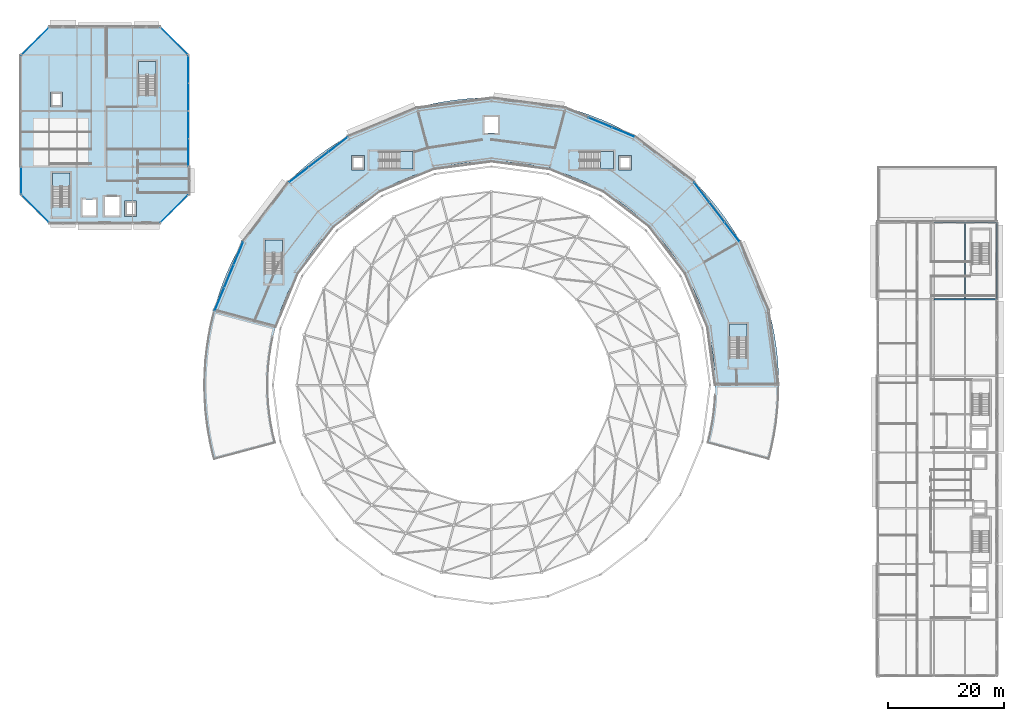
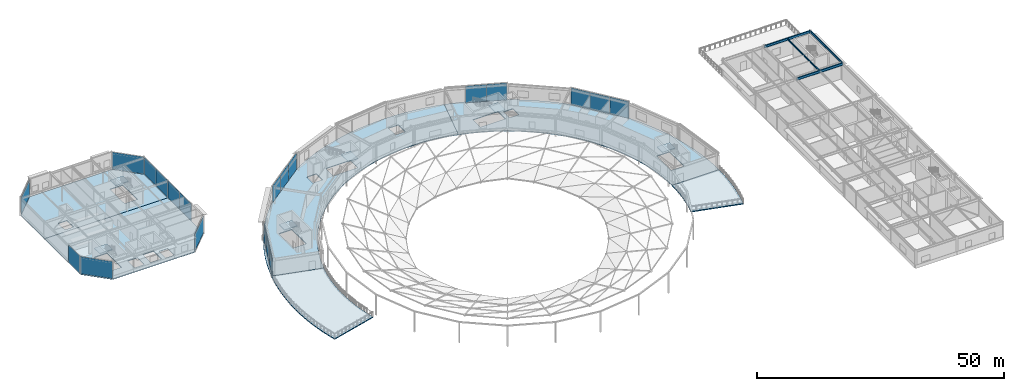
# One storey, part 55 of 89: 20 plates, 12 slabs, 4 beams, 17 elements without a shape of their own.
"""IFC4 building model written with IfcOpenShell, lengths in metres."""

from ifc_helpers import new_model, si_unit, direction, frame, origin, origin_2d, place, context, subcontext, project, spatial, polyline, rectangle, i_section, outline, extrude, material, layer, layer_set, material_profile, profile_set, type_object, element, aggregate, save


model = new_model("IFC4")

# Units and contexts
model_context = context("Model", 3, precision=1e-05, world=origin(), true_north=direction((0.0, 1.0)))
body_context = subcontext(model_context, "Body", "Model", "MODEL_VIEW")
ifc_project = project(units=[si_unit("LENGTHUNIT", "METRE"), si_unit("AREAUNIT", "SQUARE_METRE"), si_unit("VOLUMEUNIT", "CUBIC_METRE"), si_unit("PLANEANGLEUNIT", "RADIAN"), si_unit("MASSUNIT", "GRAM", prefix="KILO")], contexts=[model_context])

# Site, building, storey
site_placement = place(None, origin())
site = spatial("IfcSite", under=ifc_project, at=site_placement, CompositionType="ELEMENT")
building_placement = place(site_placement, origin())
building = spatial("IfcBuilding", under=site, at=building_placement, Name="Almandine Court Research Institute", CompositionType="ELEMENT")
storey_placement = place(building_placement, frame((0.0, 0.0, 18.89990234375)))
storey = spatial("IfcBuildingStorey", under=building, at=storey_placement, Name="L04", CompositionType="ELEMENT", Elevation=18.89990234375)

# Beams
ifc_material_1 = material(Name="Steel ASTM A992 Grade 50", Category="steel")
ifc_material_profile_1 = material_profile(ifc_material_1, i_section(OverallWidth=0.178955078125, OverallDepth=0.409912109375, WebThickness=0.009033203125, FlangeThickness=0.013916015625, at=origin_2d()), Name="W410x67")
ifc_profile_set_1 = profile_set([ifc_material_profile_1], Name="Steel ASTM A992 Grade 50")
beam_type_1 = type_object("IfcBeamType", Name="Beam-B-02", PredefinedType="JOIST", material=ifc_profile_set_1)
beam_1_placement = place(storey_placement, frame((168.60009765625, 70.9130859375, 4.1650390625), z_axis=(0.0, 1.0, 0.0), x_axis=(-1.0, 0.0, 0.0)))
element("IfcBeam", 1, at=beam_1_placement, inside=storey, type_object=beam_type_1, Name="L04 V4 Composite Secondary Beam", PredefinedType="JOIST", context=body_context, shape_type="SweptSolid", body=[
    extrude(i_section(OverallWidth=0.178955078125, OverallDepth=0.409912109375, WebThickness=0.009033203125, FlangeThickness=0.013916015625, at=origin_2d()), origin(), (0.0, 0.0, 1.0), 12.973876953125),
])
ifc_material_profile_2 = material_profile(ifc_material_1, i_section(OverallWidth=0.22998046875, OverallDepth=0.616943359375, WebThickness=0.012939453125, FlangeThickness=0.02197265625, at=origin_2d()), Name="W610x140")
ifc_profile_set_2 = profile_set([ifc_material_profile_2], Name="Steel ASTM A992 Grade 50")
beam_type_2 = type_object("IfcBeamType", Name="Beam-G-02", PredefinedType="BEAM", material=ifc_profile_set_2)
for number, where, z_axis, x_axis, name in (
    (2, (163.199951171875, 70.800048828125, 4.06201171875), (1.0, 0.0, 0.0), (0.0, 1.0, 0.0), "L04 V4 Primary X Girder"),
    (3, (163.199951171875, 84.0, 4.06201171875), (1.0, 0.0, 0.0), (0.0, 1.0, 0.0), "L04 V4 Primary X Girder"),
):
    element("IfcBeam", number, at=place(storey_placement, frame(where, z_axis=z_axis, x_axis=x_axis)), inside=storey, type_object=beam_type_2, Name=name, PredefinedType="BEAM", context=body_context, shape_type="SweptSolid", body=[
        extrude(i_section(OverallWidth=0.22998046875, OverallDepth=0.616943359375, WebThickness=0.012939453125, FlangeThickness=0.02197265625, at=origin_2d()), origin(), (0.0, 0.0, 1.0), 10.800048828125),
    ])
ifc_material_profile_3 = material_profile(ifc_material_1, i_section(OverallWidth=0.166015625, OverallDepth=0.534912109375, WebThickness=0.010009765625, FlangeThickness=0.01708984375, at=origin_2d()), Name="W530x85")
ifc_profile_set_3 = profile_set([ifc_material_profile_3], Name="Steel ASTM A992 Grade 50")
beam_type_3 = type_object("IfcBeamType", Name="Beam-G-05-E", PredefinedType="SPANDREL", material=ifc_profile_set_3)
beam_2_placement = place(storey_placement, frame((174.0, 70.800048828125, 4.10302734375), z_axis=(0.0, 1.0, 0.0), x_axis=(-1.0, 0.0, 0.0)))
element("IfcBeam", 4, at=beam_2_placement, inside=storey, type_object=beam_type_3, Name="L04 V4 Primary Y Girder", PredefinedType="SPANDREL", context=body_context, shape_type="SweptSolid", body=[
    extrude(i_section(OverallWidth=0.166015625, OverallDepth=0.534912109375, WebThickness=0.010009765625, FlangeThickness=0.01708984375, at=origin_2d()), origin(), (0.0, 0.0, 1.0), 13.199951171875),
])

# Curtain wall, plate
ifc_material_2 = material(Name="Unitised Curtain Wall Framing and Solar Glazing", Category="glass")
curtain_wall_type_1 = type_object("IfcCurtainWallType", Name="CW-CWG-08", PredefinedType="USERDEFINED", material=ifc_material_2)
curtain_wall_1_placement = place(storey_placement, origin())
curtain_wall_1 = element("IfcCurtainWall", 5, at=curtain_wall_1_placement, inside=storey, type_object=curtain_wall_type_1, Name="L04 Cleanroom NW Chamfer Glazing", ObjectType="UNITISED GLAZING", PredefinedType="USERDEFINED")
ifc_material_3 = material(Name="Double-Glazed Low-E Argon Insulated Glass", Category="glass")
ifc_layer_1 = layer(ifc_material_3, 0.028076171875)
ifc_layer_set_1 = layer_set([ifc_layer_1], Name="Double-Glazed Low-E Argon Insulated Glass")
plate_type_1 = type_object("IfcPlateType", Name="CWPnl-GLZ-28", PredefinedType="CURTAIN_PANEL", material=ifc_layer_set_1)
plate_1_placement = place(storey_placement, frame((8.39990234375, 115.199951171875, 0.06005859375), z_axis=(0.0, 0.0, 1.0), x_axis=(0.707106781187, 0.707106781187, 0.0)))
plate_1 = element("IfcPlate", 6, at=plate_1_placement, type_object=plate_type_1, Name="CWG-08 panel 1.1", PredefinedType="CURTAIN_PANEL", context=body_context, shape_type="SweptSolid", body=[
    extrude(rectangle(XDim=6.656982421875, YDim=0.028076171875, at=origin_2d()), origin(), (0.0, 0.0, 1.0), 4.25),
])
aggregate(curtain_wall_1, [plate_1])

curtain_wall_2_placement = place(storey_placement, origin())
curtain_wall_2 = element("IfcCurtainWall", 7, at=curtain_wall_2_placement, inside=storey, type_object=curtain_wall_type_1, Name="L04 Cleanroom NE Chamfer Glazing", ObjectType="UNITISED GLAZING", PredefinedType="USERDEFINED")
plate_2_placement = place(storey_placement, frame((32.39990234375, 115.199951171875, 0.06005859375), z_axis=(0.0, 0.0, 1.0), x_axis=(0.707106781187, -0.707106781187, 0.0)))
plate_2 = element("IfcPlate", 8, at=plate_2_placement, type_object=plate_type_1, Name="CWG-08 panel 1.1", PredefinedType="CURTAIN_PANEL", context=body_context, shape_type="SweptSolid", body=[
    extrude(rectangle(XDim=6.656982421875, YDim=0.028076171875, at=origin_2d()), origin(), (0.0, 0.0, 1.0), 4.25),
])
aggregate(curtain_wall_2, [plate_2])

curtain_wall_3_placement = place(storey_placement, origin())
curtain_wall_3 = element("IfcCurtainWall", 9, at=curtain_wall_3_placement, inside=storey, type_object=curtain_wall_type_1, Name="L04 Cleanroom SE Chamfer Glazing", ObjectType="UNITISED GLAZING", PredefinedType="USERDEFINED")
plate_3_placement = place(storey_placement, frame((32.39990234375, 86.39990234375, 0.06005859375), z_axis=(0.0, 0.0, 1.0), x_axis=(-0.707106781187, -0.707106781187, 0.0)))
plate_3 = element("IfcPlate", 10, at=plate_3_placement, type_object=plate_type_1, Name="CWG-08 panel 1.1", PredefinedType="CURTAIN_PANEL", context=body_context, shape_type="SweptSolid", body=[
    extrude(rectangle(XDim=6.656982421875, YDim=0.028076171875, at=origin_2d()), origin(), (0.0, 0.0, 1.0), 4.25),
])
aggregate(curtain_wall_3, [plate_3])

curtain_wall_4_placement = place(storey_placement, origin())
curtain_wall_4 = element("IfcCurtainWall", 11, at=curtain_wall_4_placement, inside=storey, type_object=curtain_wall_type_1, Name="L04 Cleanroom SW Chamfer Glazing", ObjectType="UNITISED GLAZING", PredefinedType="USERDEFINED")
plate_4_placement = place(storey_placement, frame((8.39990234375, 86.39990234375, 0.06005859375), z_axis=(0.0, 0.0, 1.0), x_axis=(-0.707106781187, 0.707106781187, 0.0)))
plate_4 = element("IfcPlate", 12, at=plate_4_placement, type_object=plate_type_1, Name="CWG-08 panel 1.1", PredefinedType="CURTAIN_PANEL", context=body_context, shape_type="SweptSolid", body=[
    extrude(rectangle(XDim=6.656982421875, YDim=0.028076171875, at=origin_2d()), origin(), (0.0, 0.0, 1.0), 4.25),
])
aggregate(curtain_wall_4, [plate_4])

# Curtain wall, plates
curtain_wall_type_2 = type_object("IfcCurtainWallType", Name="CW-CWG-22", PredefinedType="USERDEFINED", material=ifc_material_2)
curtain_wall_5_placement = place(storey_placement, origin())
curtain_wall_5 = element("IfcCurtainWall", 13, at=curtain_wall_5_placement, inside=storey, type_object=curtain_wall_type_2, Name="L04 Stacked-Ring Drum Outer Unitised Glazing 04", ObjectType="UNITISED GLAZING", PredefinedType="USERDEFINED")
plate_5_placement = place(storey_placement, frame((105.72802734375, 101.212890625, 0.06005859375), z_axis=(0.0, 0.0, 1.0), x_axis=(0.923888124321, -0.382662689242, 0.0)))
plate_5 = element("IfcPlate", 14, at=plate_5_placement, type_object=plate_type_1, Name="CWG-22 panel 2.1", PredefinedType="CURTAIN_PANEL", context=body_context, shape_type="SweptSolid", body=[
    extrude(rectangle(XDim=4.232666015625, YDim=0.028076171875, at=origin_2d()), origin(), (0.0, 0.0, 1.0), 4.18994140625),
])
plate_6_placement = place(storey_placement, frame((109.68017578125, 99.576171875, 0.06005859375), z_axis=(0.0, 0.0, 1.0), x_axis=(0.923888124321, -0.382662689242, 0.0)))
plate_6 = element("IfcPlate", 15, at=plate_6_placement, type_object=plate_type_1, Name="CWG-22 panel 3.1", PredefinedType="CURTAIN_PANEL", context=body_context, shape_type="SweptSolid", body=[
    extrude(rectangle(XDim=4.20263671875, YDim=0.028076171875, at=origin_2d()), origin(), (0.0, 0.0, 1.0), 4.18994140625),
])
aggregate(curtain_wall_5, [plate_5, plate_6])

# Curtain wall, plate
curtain_wall_type_3 = type_object("IfcCurtainWallType", Name="CW-CWJ-07", PredefinedType="USERDEFINED", material=ifc_material_2)
curtain_wall_6_placement = place(storey_placement, origin())
curtain_wall_6 = element("IfcCurtainWall", 16, at=curtain_wall_6_placement, inside=storey, type_object=curtain_wall_type_3, Name="L04 Cleanroom West Jali Curtain Wall", ObjectType="SOLAR JALI SCREEN", PredefinedType="USERDEFINED")
ifc_material_4 = material(Name="Perforated Ochre Terracotta Jali Solar Cassette", Category="masonry")
ifc_layer_2 = layer(ifc_material_4, 0.035888671875)
ifc_layer_set_2 = layer_set([ifc_layer_2], Name="Perforated Ochre Terracotta Jali Solar Cassette")
plate_type_2 = type_object("IfcPlateType", Name="CWPnl-JALI-36", PredefinedType="CURTAIN_PANEL", material=ifc_layer_set_2)
plate_7_placement = place(storey_placement, frame((6.0, 91.199951171875, 0.06494140625), z_axis=(0.0, 0.0, 1.0), x_axis=(0.0, 1.0, 0.0)))
plate_7 = element("IfcPlate", 17, at=plate_7_placement, type_object=plate_type_2, Name="CWJ-07 panel 1.1", PredefinedType="CURTAIN_PANEL", context=body_context, shape_type="SweptSolid", body=[
    extrude(rectangle(XDim=4.662109375, YDim=0.035888671875, at=origin_2d()), origin(), (0.0, 0.0, 1.0), 4.239990234375),
])
aggregate(curtain_wall_6, [plate_7])

# Curtain wall, plates
curtain_wall_type_4 = type_object("IfcCurtainWallType", Name="CW-CWJ-09", PredefinedType="USERDEFINED", material=ifc_material_2)
curtain_wall_7_placement = place(storey_placement, origin())
curtain_wall_7 = element("IfcCurtainWall", 18, at=curtain_wall_7_placement, inside=storey, type_object=curtain_wall_type_4, Name="L04 Cleanroom East Courtyard Jali Screen 2", ObjectType="SOLAR JALI SCREEN", PredefinedType="USERDEFINED")
plate_8_placement = place(storey_placement, frame((34.800048828125, 100.78173828125, 0.06494140625), z_axis=(0.0, 0.0, 1.0), x_axis=(0.0, -1.0, 0.0)))
plate_8 = element("IfcPlate", 19, at=plate_8_placement, type_object=plate_type_2, Name="CWJ-09 panel 1.1", PredefinedType="CURTAIN_PANEL", context=body_context, shape_type="SweptSolid", body=[
    extrude(rectangle(XDim=4.698486328125, YDim=0.035888671875, at=origin_2d()), origin(), (0.0, 0.0, 1.0), 4.239990234375),
])
plate_9_placement = place(storey_placement, frame((34.800048828125, 96.018310546875, 0.06494140625), z_axis=(0.0, 0.0, 1.0), x_axis=(0.0, -1.0, 0.0)))
plate_9 = element("IfcPlate", 20, at=plate_9_placement, type_object=plate_type_2, Name="CWJ-09 panel 2.1", PredefinedType="CURTAIN_PANEL", context=body_context, shape_type="SweptSolid", body=[
    extrude(rectangle(XDim=4.698486328125, YDim=0.035888671875, at=origin_2d()), origin(), (0.0, 0.0, 1.0), 4.239990234375),
])
aggregate(curtain_wall_7, [plate_8, plate_9])

curtain_wall_8_placement = place(storey_placement, origin())
curtain_wall_8 = element("IfcCurtainWall", 21, at=curtain_wall_8_placement, inside=storey, type_object=curtain_wall_type_4, Name="L04 Cleanroom East Courtyard Jali Screen 3", ObjectType="SOLAR JALI SCREEN", PredefinedType="USERDEFINED")
plate_10_placement = place(storey_placement, frame((34.800048828125, 110.3818359375, 0.06494140625), z_axis=(0.0, 0.0, 1.0), x_axis=(0.0, -1.0, 0.0)))
plate_10 = element("IfcPlate", 22, at=plate_10_placement, type_object=plate_type_2, Name="CWJ-09 panel 1.1", PredefinedType="CURTAIN_PANEL", context=body_context, shape_type="SweptSolid", body=[
    extrude(rectangle(XDim=4.698486328125, YDim=0.035888671875, at=origin_2d()), origin(), (0.0, 0.0, 1.0), 4.239990234375),
])
plate_11_placement = place(storey_placement, frame((34.800048828125, 105.6181640625, 0.06494140625), z_axis=(0.0, 0.0, 1.0), x_axis=(0.0, -1.0, 0.0)))
plate_11 = element("IfcPlate", 23, at=plate_11_placement, type_object=plate_type_2, Name="CWJ-09 panel 2.1", PredefinedType="CURTAIN_PANEL", context=body_context, shape_type="SweptSolid", body=[
    extrude(rectangle(XDim=4.698486328125, YDim=0.035888671875, at=origin_2d()), origin(), (0.0, 0.0, 1.0), 4.239990234375),
])
aggregate(curtain_wall_8, [plate_10, plate_11])

curtain_wall_type_5 = type_object("IfcCurtainWallType", Name="CW-CWJ-21", PredefinedType="USERDEFINED", material=ifc_material_2)
curtain_wall_9_placement = place(storey_placement, origin())
curtain_wall_9 = element("IfcCurtainWall", 24, at=curtain_wall_9_placement, inside=storey, type_object=curtain_wall_type_5, Name="L04 Stacked-Ring Drum Outer Solar Jali Screen 02", ObjectType="SOLAR JALI SCREEN", PredefinedType="USERDEFINED")
plate_12_placement = place(storey_placement, frame((123.222412109375, 89.184326171875, 0.06494140625), z_axis=(0.0, 0.0, 1.0), x_axis=(0.608723313303, -0.793382586046, 0.0)))
plate_12 = element("IfcPlate", 25, at=plate_12_placement, type_object=plate_type_2, Name="CWJ-21 panel 1.1", PredefinedType="CURTAIN_PANEL", context=body_context, shape_type="SweptSolid", body=[
    extrude(rectangle(XDim=4.195068359375, YDim=0.035888671875, at=origin_2d()), origin(), (0.0, 0.0, 1.0), 4.179931640625),
])
plate_13_placement = place(storey_placement, frame((125.825439453125, 85.79150390625, 0.06494140625), z_axis=(0.0, 0.0, 1.0), x_axis=(0.608723313303, -0.793382586046, 0.0)))
plate_13 = element("IfcPlate", 26, at=plate_13_placement, type_object=plate_type_2, Name="CWJ-21 panel 2.1", PredefinedType="CURTAIN_PANEL", context=body_context, shape_type="SweptSolid", body=[
    extrude(rectangle(XDim=4.2275390625, YDim=0.035888671875, at=origin_2d()), origin(), (0.0, 0.0, 1.0), 4.179931640625),
])
plate_14_placement = place(storey_placement, frame((128.4287109375, 82.398681640625, 0.06494140625), z_axis=(0.0, 0.0, 1.0), x_axis=(0.608723313303, -0.793382586046, 0.0)))
plate_14 = element("IfcPlate", 27, at=plate_14_placement, type_object=plate_type_2, Name="CWJ-21 panel 3.1", PredefinedType="CURTAIN_PANEL", context=body_context, shape_type="SweptSolid", body=[
    extrude(rectangle(XDim=4.195068359375, YDim=0.035888671875, at=origin_2d()), origin(), (0.0, 0.0, 1.0), 4.179931640625),
])
aggregate(curtain_wall_9, [plate_12, plate_13, plate_14])

curtain_wall_10_placement = place(storey_placement, origin())
curtain_wall_10 = element("IfcCurtainWall", 28, at=curtain_wall_10_placement, inside=storey, type_object=curtain_wall_type_5, Name="L04 Stacked-Ring Drum Outer Solar Jali Screen 08", ObjectType="SOLAR JALI SCREEN", PredefinedType="USERDEFINED")
plate_15_placement = place(storey_placement, frame((53.815673828125, 92.222412109375, 0.06494140625), z_axis=(0.0, 0.0, 1.0), x_axis=(0.793382586046, 0.608723313303, 0.0)))
plate_15 = element("IfcPlate", 29, at=plate_15_placement, type_object=plate_type_2, Name="CWJ-21 panel 1.1", PredefinedType="CURTAIN_PANEL", context=body_context, shape_type="SweptSolid", body=[
    extrude(rectangle(XDim=4.195068359375, YDim=0.035888671875, at=origin_2d()), origin(), (0.0, 0.0, 1.0), 4.179931640625),
])
plate_16_placement = place(storey_placement, frame((57.20849609375, 94.825439453125, 0.06494140625), z_axis=(0.0, 0.0, 1.0), x_axis=(0.793382586046, 0.608723313303, 0.0)))
plate_16 = element("IfcPlate", 30, at=plate_16_placement, type_object=plate_type_2, Name="CWJ-21 panel 2.1", PredefinedType="CURTAIN_PANEL", context=body_context, shape_type="SweptSolid", body=[
    extrude(rectangle(XDim=4.2275390625, YDim=0.035888671875, at=origin_2d()), origin(), (0.0, 0.0, 1.0), 4.179931640625),
])
plate_17_placement = place(storey_placement, frame((60.601318359375, 97.4287109375, 0.06494140625), z_axis=(0.0, 0.0, 1.0), x_axis=(0.793382586046, 0.608723313303, 0.0)))
plate_17 = element("IfcPlate", 31, at=plate_17_placement, type_object=plate_type_2, Name="CWJ-21 panel 3.1", PredefinedType="CURTAIN_PANEL", context=body_context, shape_type="SweptSolid", body=[
    extrude(rectangle(XDim=4.195068359375, YDim=0.035888671875, at=origin_2d()), origin(), (0.0, 0.0, 1.0), 4.179931640625),
])
aggregate(curtain_wall_10, [plate_15, plate_16, plate_17])

curtain_wall_11_placement = place(storey_placement, origin())
curtain_wall_11 = element("IfcCurtainWall", 32, at=curtain_wall_11_placement, inside=storey, type_object=curtain_wall_type_5, Name="L04 Stacked-Ring Drum Outer Solar Jali Screen 10", ObjectType="SOLAR JALI SCREEN", PredefinedType="USERDEFINED")
plate_18_placement = place(storey_placement, frame((40.150634765625, 70.777099609375, 0.06494140625), z_axis=(0.0, 0.0, 1.0), x_axis=(0.382662689242, 0.923888124321, 0.0)))
plate_18 = element("IfcPlate", 33, at=plate_18_placement, type_object=plate_type_2, Name="CWJ-21 panel 1.1", PredefinedType="CURTAIN_PANEL", context=body_context, shape_type="SweptSolid", body=[
    extrude(rectangle(XDim=4.1953125, YDim=0.035888671875, at=origin_2d()), origin(), (0.0, 0.0, 1.0), 4.179931640625),
])
plate_19_placement = place(storey_placement, frame((41.787109375, 74.72802734375, 0.06494140625), z_axis=(0.0, 0.0, 1.0), x_axis=(0.382662689242, 0.923888124321, 0.0)))
plate_19 = element("IfcPlate", 34, at=plate_19_placement, type_object=plate_type_2, Name="CWJ-21 panel 2.1", PredefinedType="CURTAIN_PANEL", context=body_context, shape_type="SweptSolid", body=[
    extrude(rectangle(XDim=4.227783203125, YDim=0.035888671875, at=origin_2d()), origin(), (0.0, 0.0, 1.0), 4.179931640625),
])
plate_20_placement = place(storey_placement, frame((43.42333984375, 78.678955078125, 0.06494140625), z_axis=(0.0, 0.0, 1.0), x_axis=(0.382662689242, 0.923888124321, 0.0)))
plate_20 = element("IfcPlate", 35, at=plate_20_placement, type_object=plate_type_2, Name="CWJ-21 panel 3.1", PredefinedType="CURTAIN_PANEL", context=body_context, shape_type="SweptSolid", body=[
    extrude(rectangle(XDim=4.1953125, YDim=0.035888671875, at=origin_2d()), origin(), (0.0, 0.0, 1.0), 4.179931640625),
])
aggregate(curtain_wall_11, [plate_18, plate_19, plate_20])

# Slabs
ifc_material_5 = material(Name="Concrete C35/45", Category="concrete")
ifc_layer_3 = layer(ifc_material_5, 0.179931640625)
ifc_layer_set_3 = layer_set([ifc_layer_3], Name="Concrete C35/45")
slab_type_1 = type_object("IfcSlabType", Name="Slab-FLR-180", PredefinedType="FLOOR", material=ifc_layer_set_3)
slab_1_placement = place(storey_placement, frame((0.0, 0.0, -0.179931640625)))
element("IfcSlab", 36, at=slab_1_placement, inside=storey, type_object=slab_type_1, Name="L04 Volume 3 Cleanroom Pavilion Floor Slab -S", PredefinedType="FLOOR", context=body_context, shape_type="SweptSolid", body=[
    extrude(outline(polyline([(10.800048828125, 84.0), (30.0, 84.0), (34.800048828125, 88.800048828125), (34.800048828125, 103.199951171875), (6.0, 103.199951171875), (6.0, 88.800048828125), (10.800048828125, 84.0)]), holes=[polyline([(14.39990234375, 86.64990234375), (14.39990234375, 92.5), (11.39990234375, 92.5), (11.39990234375, 86.64990234375), (14.39990234375, 86.64990234375)]), polyline([(16.60009765625, 85.199951171875), (18.89990234375, 85.199951171875), (18.89990234375, 88.0), (16.60009765625, 88.0), (16.60009765625, 85.199951171875)]), polyline([(20.39990234375, 85.199951171875), (22.89990234375, 85.199951171875), (22.89990234375, 88.39990234375), (20.39990234375, 88.39990234375), (20.39990234375, 85.199951171875)]), polyline([(23.830078125, 85.080078125), (25.8701171875, 85.080078125), (25.8701171875, 87.719970703125), (23.830078125, 87.719970703125), (23.830078125, 85.080078125)])]), origin(), (0.0, 0.0, 1.0), 0.179931640625),
])
slab_2_placement = place(storey_placement, frame((0.0, 0.0, -0.179931640625)))
element("IfcSlab", 37, at=slab_2_placement, inside=storey, type_object=slab_type_1, Name="L04 Volume 3 Cleanroom Pavilion Floor Slab -N", PredefinedType="FLOOR", context=body_context, shape_type="SweptSolid", body=[
    extrude(outline(polyline([(6.0, 103.199951171875), (34.800048828125, 103.199951171875), (34.800048828125, 112.800048828125), (30.0, 117.60009765625), (10.800048828125, 117.60009765625), (6.0, 112.800048828125), (6.0, 103.199951171875)]), holes=[polyline([(29.199951171875, 105.85009765625), (29.199951171875, 111.699951171875), (26.199951171875, 111.699951171875), (26.199951171875, 105.85009765625), (29.199951171875, 105.85009765625)]), polyline([(11.080078125, 103.8798828125), (13.1201171875, 103.8798828125), (13.1201171875, 106.52001953125), (11.080078125, 106.52001953125), (11.080078125, 103.8798828125)])]), origin(), (0.0, 0.0, 1.0), 0.179931640625),
])
slab_3_placement = place(storey_placement, frame((0.0, 0.0, -0.179931640625)))
element("IfcSlab", 38, at=slab_3_placement, inside=storey, type_object=slab_type_1, Name="L04 Volume 5 Stacked-Ring Drum E Laboratory Slab", PredefinedType="FLOOR", context=body_context, shape_type="SweptSolid", body=[
    extrude(outline(polyline([(136.5, 56.0), (136.452880859375, 58.158935546875), (136.31201171875, 60.31396484375), (136.076904296875, 62.4609375), (135.748046875, 64.595947265625), (135.326904296875, 66.714111328125), (134.81298828125, 68.81201171875), (134.208984375, 70.885009765625), (133.514892578125, 72.929931640625), (132.73193359375, 74.943115234375), (131.862060546875, 76.919921875), (130.906982421875, 78.85693359375), (129.867919921875, 80.75), (128.748046875, 82.595947265625), (127.548095703125, 84.39208984375), (126.27099609375, 86.134033203125), (124.9189453125, 87.818115234375), (123.4951171875, 89.44189453125), (122.001953125, 91.001953125), (120.44189453125, 92.4951171875), (118.818115234375, 93.9189453125), (117.134033203125, 95.27099609375), (115.39208984375, 96.548095703125), (113.595947265625, 97.748046875), (111.75, 98.867919921875), (109.85693359375, 99.906982421875), (107.919921875, 100.862060546875), (105.943115234375, 101.73193359375), (103.929931640625, 102.514892578125), (101.885009765625, 103.208984375), (99.81201171875, 103.81298828125), (96.965087890625, 93.18798828125), (98.576904296875, 92.718017578125), (100.16796875, 92.177978515625), (101.73291015625, 91.569091796875), (103.27099609375, 90.89306640625), (104.777099609375, 90.14990234375), (106.25, 89.342041015625), (107.68603515625, 88.470947265625), (109.0830078125, 87.537109375), (110.43701171875, 86.5439453125), (111.7470703125, 85.492919921875), (113.010009765625, 84.385009765625), (114.22412109375, 83.22412109375), (115.385009765625, 82.010009765625), (116.492919921875, 80.7470703125), (117.5439453125, 79.43701171875), (118.537109375, 78.0830078125), (119.470947265625, 76.68603515625), (120.342041015625, 75.25), (121.14990234375, 73.777099609375), (121.89306640625, 72.27099609375), (122.569091796875, 70.73291015625), (123.177978515625, 69.16796875), (123.718017578125, 67.576904296875), (124.18798828125, 65.965087890625), (124.5869140625, 64.3330078125), (124.9150390625, 62.68505859375), (125.1708984375, 61.02490234375), (125.35302734375, 59.35498046875), (125.462890625, 57.678955078125), (125.5, 56.0), (136.5, 56.0)]), holes=[polyline([(102.14990234375, 93.199951171875), (108.0, 93.199951171875), (108.0, 96.199951171875), (102.14990234375, 96.199951171875), (102.14990234375, 93.199951171875)]), polyline([(131.0, 60.64990234375), (131.0, 66.5), (128.0, 66.5), (128.0, 60.64990234375), (131.0, 60.64990234375)]), polyline([(108.8798828125, 93.080078125), (111.1201171875, 93.080078125), (111.1201171875, 95.52001953125), (108.8798828125, 95.52001953125), (108.8798828125, 93.080078125)])]), origin(), (0.0, 0.0, 1.0), 0.179931640625),
])
slab_4_placement = place(storey_placement, frame((0.0, 0.0, -0.179931640625)))
element("IfcSlab", 39, at=slab_4_placement, inside=storey, type_object=slab_type_1, Name="L04 Volume 5 Stacked-Ring Drum W Laboratory Slab", PredefinedType="FLOOR", context=body_context, shape_type="SweptSolid", body=[
    extrude(outline(polyline([(99.81201171875, 103.81298828125), (97.714111328125, 104.326904296875), (95.595947265625, 104.748046875), (93.4609375, 105.076904296875), (91.31396484375, 105.31201171875), (89.158935546875, 105.452880859375), (87.0, 105.5), (84.841064453125, 105.452880859375), (82.68603515625, 105.31201171875), (80.5390625, 105.076904296875), (78.404052734375, 104.748046875), (76.285888671875, 104.326904296875), (74.18798828125, 103.81298828125), (72.114990234375, 103.208984375), (70.070068359375, 102.514892578125), (68.056884765625, 101.73193359375), (66.080078125, 100.862060546875), (64.14306640625, 99.906982421875), (62.25, 98.867919921875), (60.404052734375, 97.748046875), (58.60791015625, 96.548095703125), (56.865966796875, 95.27099609375), (55.181884765625, 93.9189453125), (53.55810546875, 92.4951171875), (51.998046875, 91.001953125), (50.5048828125, 89.44189453125), (49.0810546875, 87.818115234375), (47.72900390625, 86.134033203125), (46.451904296875, 84.39208984375), (45.251953125, 82.595947265625), (44.132080078125, 80.75), (43.093017578125, 78.85693359375), (42.137939453125, 76.919921875), (41.26806640625, 74.943115234375), (40.485107421875, 72.929931640625), (39.791015625, 70.885009765625), (39.18701171875, 68.81201171875), (49.81201171875, 65.965087890625), (50.281982421875, 67.576904296875), (50.822021484375, 69.16796875), (51.430908203125, 70.73291015625), (52.10693359375, 72.27099609375), (52.85009765625, 73.777099609375), (53.657958984375, 75.25), (54.529052734375, 76.68603515625), (55.462890625, 78.0830078125), (56.4560546875, 79.43701171875), (57.507080078125, 80.7470703125), (58.614990234375, 82.010009765625), (59.77587890625, 83.22412109375), (60.989990234375, 84.385009765625), (62.2529296875, 85.492919921875), (63.56298828125, 86.5439453125), (64.9169921875, 87.537109375), (66.31396484375, 88.470947265625), (67.75, 89.342041015625), (69.222900390625, 90.14990234375), (70.72900390625, 90.89306640625), (72.26708984375, 91.569091796875), (73.83203125, 92.177978515625), (75.423095703125, 92.718017578125), (77.034912109375, 93.18798828125), (78.6669921875, 93.5869140625), (80.31494140625, 93.9150390625), (81.97509765625, 94.1708984375), (83.64501953125, 94.35302734375), (85.321044921875, 94.462890625), (87.0, 94.5), (88.678955078125, 94.462890625), (90.35498046875, 94.35302734375), (92.02490234375, 94.1708984375), (93.68505859375, 93.9150390625), (95.3330078125, 93.5869140625), (96.965087890625, 93.18798828125), (99.81201171875, 103.81298828125)]), holes=[polyline([(67.64990234375, 93.199951171875), (73.5, 93.199951171875), (73.5, 96.199951171875), (67.64990234375, 96.199951171875), (67.64990234375, 93.199951171875)]), polyline([(51.0, 75.14990234375), (51.0, 81.0), (48.0, 81.0), (48.0, 75.14990234375), (51.0, 75.14990234375)]), polyline([(85.85009765625, 99.39990234375), (88.14990234375, 99.39990234375), (88.14990234375, 102.199951171875), (85.85009765625, 102.199951171875), (85.85009765625, 99.39990234375)]), polyline([(62.8798828125, 93.080078125), (65.1201171875, 93.080078125), (65.1201171875, 95.52001953125), (62.8798828125, 95.52001953125), (62.8798828125, 93.080078125)])]), origin(), (0.0, 0.0, 1.0), 0.179931640625),
])

# Stair, slab
stair_type = type_object("IfcStairType", Name="Stair-Core-26R", PredefinedType="HALF_TURN_STAIR", material=ifc_material_5)
stair_1_placement = place(storey_placement, origin())
stair_1 = element("IfcStair", 40, at=stair_1_placement, inside=storey, type_object=stair_type, Name="L04 Cleanroom Pavilion South Exit Stair", PredefinedType="HALF_TURN_STAIR")
ifc_layer_4 = layer(ifc_material_5, 0.179931640625)
ifc_layer_set_4 = layer_set([ifc_layer_4], Name="Concrete C35/45")
slab_type_2 = type_object("IfcSlabType", Name="Slab-Landing-180", PredefinedType="LANDING", material=ifc_layer_set_4)
slab_5_placement = place(storey_placement, frame((0.0, 0.0, 2.09521484375)))
slab_5 = element("IfcSlab", 41, at=slab_5_placement, type_object=slab_type_2, Name="ST-05 landing 1", PredefinedType="LANDING", context=body_context, shape_type="SweptSolid", body=[
    extrude(outline(polyline([(14.39990234375, 90.25), (14.39990234375, 92.5), (11.39990234375, 92.5), (11.39990234375, 90.25), (14.39990234375, 90.25)])), origin(), (0.0, 0.0, 1.0), 0.179931640625),
])
aggregate(stair_1, [slab_5])

stair_2_placement = place(storey_placement, origin())
stair_2 = element("IfcStair", 42, at=stair_2_placement, inside=storey, type_object=stair_type, Name="L04 Cleanroom Pavilion North Exit Stair", PredefinedType="HALF_TURN_STAIR")
slab_6_placement = place(storey_placement, frame((0.0, 0.0, 2.09521484375)))
slab_6 = element("IfcSlab", 43, at=slab_6_placement, type_object=slab_type_2, Name="ST-06 landing 1", PredefinedType="LANDING", context=body_context, shape_type="SweptSolid", body=[
    extrude(outline(polyline([(29.199951171875, 109.449951171875), (29.199951171875, 111.699951171875), (26.199951171875, 111.699951171875), (26.199951171875, 109.449951171875), (29.199951171875, 109.449951171875)])), origin(), (0.0, 0.0, 1.0), 0.179931640625),
])
aggregate(stair_2, [slab_6])

stair_3_placement = place(storey_placement, origin())
stair_3 = element("IfcStair", 44, at=stair_3_placement, inside=storey, type_object=stair_type, Name="L04 Drum Northeast Exit Stair", PredefinedType="HALF_TURN_STAIR")
slab_7_placement = place(storey_placement, frame((0.0, 0.0, 2.09521484375)))
slab_7 = element("IfcSlab", 45, at=slab_7_placement, type_object=slab_type_2, Name="ST-09 landing 1", PredefinedType="LANDING", context=body_context, shape_type="SweptSolid", body=[
    extrude(outline(polyline([(105.75, 93.199951171875), (108.0, 93.199951171875), (108.0, 96.199951171875), (105.75, 96.199951171875), (105.75, 93.199951171875)])), origin(), (0.0, 0.0, 1.0), 0.179931640625),
])
aggregate(stair_3, [slab_7])

stair_4_placement = place(storey_placement, origin())
stair_4 = element("IfcStair", 46, at=stair_4_placement, inside=storey, type_object=stair_type, Name="L04 Drum Northwest Exit Stair", PredefinedType="HALF_TURN_STAIR")
slab_8_placement = place(storey_placement, frame((0.0, 0.0, 2.09521484375)))
slab_8 = element("IfcSlab", 47, at=slab_8_placement, type_object=slab_type_2, Name="ST-10 landing 1", PredefinedType="LANDING", context=body_context, shape_type="SweptSolid", body=[
    extrude(outline(polyline([(71.25, 93.199951171875), (73.5, 93.199951171875), (73.5, 96.199951171875), (71.25, 96.199951171875), (71.25, 93.199951171875)])), origin(), (0.0, 0.0, 1.0), 0.179931640625),
])
aggregate(stair_4, [slab_8])

stair_5_placement = place(storey_placement, origin())
stair_5 = element("IfcStair", 48, at=stair_5_placement, inside=storey, type_object=stair_type, Name="L04 Drum East Exit Stair", PredefinedType="HALF_TURN_STAIR")
slab_9_placement = place(storey_placement, frame((0.0, 0.0, 2.09521484375)))
slab_9 = element("IfcSlab", 49, at=slab_9_placement, type_object=slab_type_2, Name="ST-14 landing 1", PredefinedType="LANDING", context=body_context, shape_type="SweptSolid", body=[
    extrude(outline(polyline([(131.0, 64.25), (131.0, 66.5), (128.0, 66.5), (128.0, 64.25), (131.0, 64.25)])), origin(), (0.0, 0.0, 1.0), 0.179931640625),
])
aggregate(stair_5, [slab_9])

stair_6_placement = place(storey_placement, origin())
stair_6 = element("IfcStair", 50, at=stair_6_placement, inside=storey, type_object=stair_type, Name="L04 Drum West Exit Stair", PredefinedType="HALF_TURN_STAIR")
slab_10_placement = place(storey_placement, frame((0.0, 0.0, 2.09521484375)))
slab_10 = element("IfcSlab", 51, at=slab_10_placement, type_object=slab_type_2, Name="ST-15 landing 1", PredefinedType="LANDING", context=body_context, shape_type="SweptSolid", body=[
    extrude(outline(polyline([(51.0, 78.75), (51.0, 81.0), (48.0, 81.0), (48.0, 78.75), (51.0, 78.75)])), origin(), (0.0, 0.0, 1.0), 0.179931640625),
])
aggregate(stair_6, [slab_10])

# Slabs
ifc_layer_5 = layer(ifc_material_5, 0.22509765625)
ifc_layer_set_5 = layer_set([ifc_layer_5], Name="Concrete C35/45")
slab_type_3 = type_object("IfcSlabType", Name="Slab-TER-225", PredefinedType="FLOOR", material=ifc_layer_set_5)
slab_11_placement = place(storey_placement, frame((0.0, 0.0, -0.224853515625)))
element("IfcSlab", 52, at=slab_11_placement, inside=storey, type_object=slab_type_3, Name="L04 Volume 5 Stacked-Ring Terrace Slab 1", PredefinedType="FLOOR", context=body_context, shape_type="SweptSolid", body=[
    extrude(outline(polyline([(134.81298828125, 43.18798828125), (135.326904296875, 45.285888671875), (135.748046875, 47.404052734375), (136.076904296875, 49.5390625), (136.31201171875, 51.68603515625), (136.452880859375, 53.841064453125), (136.5, 56.0), (125.5, 56.0), (125.462890625, 54.321044921875), (125.35302734375, 52.64501953125), (125.1708984375, 50.97509765625), (124.9150390625, 49.31494140625), (124.5869140625, 47.6669921875), (124.18798828125, 46.034912109375), (134.81298828125, 43.18798828125)])), origin(), (0.0, 0.0, 1.0), 0.224853515625),
])
slab_12_placement = place(storey_placement, frame((0.0, 0.0, -0.224853515625)))
element("IfcSlab", 53, at=slab_12_placement, inside=storey, type_object=slab_type_3, Name="L04 Volume 5 Stacked-Ring Terrace Slab 2", PredefinedType="FLOOR", context=body_context, shape_type="SweptSolid", body=[
    extrude(outline(polyline([(39.18701171875, 68.81201171875), (38.673095703125, 66.714111328125), (38.251953125, 64.595947265625), (37.923095703125, 62.4609375), (37.68798828125, 60.31396484375), (37.547119140625, 58.158935546875), (37.5, 56.0), (37.547119140625, 53.841064453125), (37.68798828125, 51.68603515625), (37.923095703125, 49.5390625), (38.251953125, 47.404052734375), (38.673095703125, 45.285888671875), (39.18701171875, 43.18798828125), (49.81201171875, 46.034912109375), (49.4130859375, 47.6669921875), (49.0849609375, 49.31494140625), (48.8291015625, 50.97509765625), (48.64697265625, 52.64501953125), (48.537109375, 54.321044921875), (48.5, 56.0), (48.537109375, 57.678955078125), (48.64697265625, 59.35498046875), (48.8291015625, 61.02490234375), (49.0849609375, 62.68505859375), (49.4130859375, 64.3330078125), (49.81201171875, 65.965087890625), (39.18701171875, 68.81201171875)])), origin(), (0.0, 0.0, 1.0), 0.224853515625),
])

save(model, "model.ifc")
